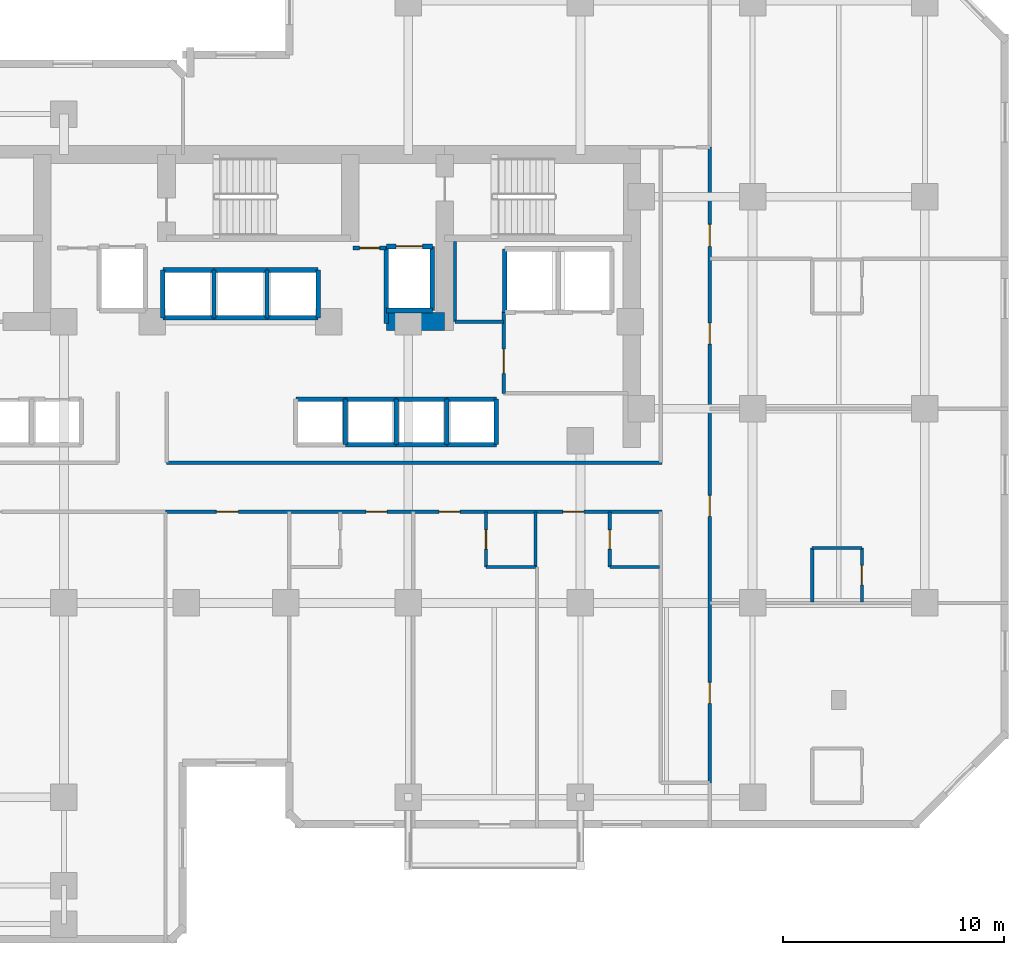
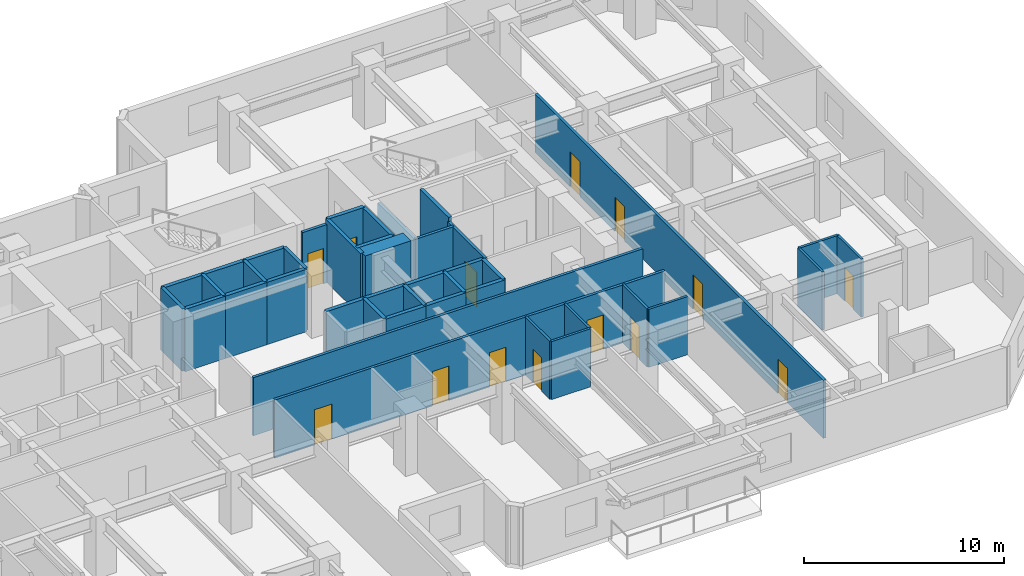
# One storey, part 8 of 12: 42 walls, 14 doors, 14 openings.
"""IFC4 building model written with IfcOpenShell, lengths in metres."""

from ifc_helpers import new_model, si_unit, direction, frame, frame_2d, origin, place, context, subcontext, project, spatial, rectangle, extrude, material, layer, layer_set, type_object, element, fill, save


model = new_model("IFC4")

# Units and contexts
model_context = context("Model", 3, precision=1e-05, world=origin(), true_north=direction((0.0, 1.0)))
body_context = subcontext(model_context, "Body", "Model", "MODEL_VIEW")
ifc_project = project(units=[si_unit("LENGTHUNIT", "METRE"), si_unit("AREAUNIT", "SQUARE_METRE"), si_unit("VOLUMEUNIT", "CUBIC_METRE"), si_unit("PLANEANGLEUNIT", "RADIAN"), si_unit("MASSUNIT", "GRAM", prefix="KILO")], contexts=[model_context])

# Site, building, storey
site_placement = place(None, origin())
site = spatial("IfcSite", under=ifc_project, at=site_placement, CompositionType="ELEMENT")
building_placement = place(site_placement, origin())
building = spatial("IfcBuilding", under=site, at=building_placement, Name="Kestravale Grand Hotel", CompositionType="ELEMENT")
storey_placement = place(building_placement, frame((0.0, 0.0, 110.800048828125)))
storey = spatial("IfcBuildingStorey", under=building, at=storey_placement, Name="L27", CompositionType="ELEMENT", Elevation=110.800048828125)

# Wall
ifc_material_1 = material(Name="Concrete f'c 60 MPa", Category="concrete")
ifc_layer_1 = layer(ifc_material_1, 0.800048828125)
ifc_layer_set_1 = layer_set([ifc_layer_1], Name="EW-CORE-800")
wall_type_1 = type_object("IfcWallType", Name="EW-CORE-800", PredefinedType="SHEAR", material=ifc_layer_set_1)
wall_1_placement = place(storey_placement, frame((45.81005859375, 32.75, 0.0), z_axis=(0.0, 0.0, 1.0), x_axis=(1.0, 0.0, 0.0)))
element("IfcWall", 1, at=wall_1_placement, inside=storey, type_object=wall_type_1, Name="L27 core shear wall S2", PredefinedType="SHEAR", context=body_context, shape_type="SweptSolid", body=[
    extrude(rectangle(XDim=2.639892578125, YDim=0.800048828125, at=frame_2d((1.31982421875, 0.0))), origin(), (0.0, 0.0, 1.0), 3.800048828125),
])

# Wall, opening, door
ifc_material_2 = material(Name="Acoustic fire-rated gypsum board partition", Category="other")
ifc_layer_2 = layer(ifc_material_2, 0.159912109375)
ifc_layer_set_2 = layer_set([ifc_layer_2], Name="IW-CORR-160")
wall_type_2 = type_object("IfcWallType", Name="IW-CORR-160", PredefinedType="PARTITIONING", material=ifc_layer_set_2)
wall_2_placement = place(storey_placement, frame((51.1201171875, 29.5, 0.0), z_axis=(0.0, 0.0, 1.0), x_axis=(0.0, 1.0, 0.0)))
wall_2 = element("IfcWall", 2, at=wall_2_placement, inside=storey, type_object=wall_type_2, Name="W-L27-SVCLOB-W", PredefinedType="PARTITIONING", context=body_context, shape_type="SweptSolid", body=[
    extrude(rectangle(XDim=3.699951171875, YDim=0.159912109375, at=frame_2d((1.85009765625, 0.0))), origin(), (0.0, 0.0, 1.0), 3.5400390625),
])
opening_1_placement = place(wall_2_placement, frame((0.89990234375, 0.0, 0.0)))
opening_1 = element("IfcOpeningElement", 3, at=opening_1_placement, cuts=wall_2, Name="Opening D-CORR-1100", PredefinedType="OPENING", context=body_context, shape_type="SweptSolid", body=[
    extrude(rectangle(XDim=1.10009765625, YDim=2.14990234375, at=frame_2d((0.550048828125, 1.074951171875))), frame((0.0, 0.08984375, 0.0), z_axis=(0.0, -1.0, 0.0), x_axis=(1.0, 0.0, 0.0)), (0.0, 0.0, 1.0), 0.179931640625),
])
ifc_material_3 = material(Name="Single-leaf service vestibule fire door", Category="steel")
door_type_1 = type_object("IfcDoorType", Name="D-CORR-1100", OperationType="NOTDEFINED", PredefinedType="DOOR", material=ifc_material_3)
door_1_placement = place(opening_1_placement, origin())
door_1 = element("IfcDoor", 4, at=door_1_placement, inside=storey, type_object=door_type_1, Name="L27 service lift lobby door", OperationType="SINGLE_SWING_LEFT", OverallHeight=2.14990234375, OverallWidth=1.10009765625, PredefinedType="DOOR", context=body_context, shape_type="SweptSolid", body=[
    extrude(rectangle(XDim=1.10009765625, YDim=2.14990234375, at=frame_2d((0.550048828125, 1.074951171875))), frame((0.0, 0.02490234375, 0.0), z_axis=(0.0, -1.0, 0.0), x_axis=(1.0, 0.0, 0.0)), (0.0, 0.0, 1.0), 0.050048828125),
])
fill(opening_1, door_1)

# Walls
wall_3_placement = place(storey_placement, frame((48.919921875, 32.75, 0.0), z_axis=(0.0, 0.0, 1.0), x_axis=(1.0, 0.0, 0.0)))
element("IfcWall", 5, at=wall_3_placement, inside=storey, type_object=wall_type_2, Name="W-L27-CES", PredefinedType="PARTITIONING", context=body_context, shape_type="SweptSolid", body=[
    extrude(rectangle(XDim=2.2001953125, YDim=0.159912109375, at=frame_2d((1.10009765625, 0.0))), origin(), (0.0, 0.0, 1.0), 3.5400390625),
])
wall_4_placement = place(storey_placement, frame((35.85009765625, 26.360107421875, 0.0), z_axis=(0.0, 0.0, 1.0), x_axis=(1.0, 0.0, 0.0)))
element("IfcWall", 6, at=wall_4_placement, inside=storey, type_object=wall_type_2, Name="W-L27-CE-N", PredefinedType="PARTITIONING", context=body_context, shape_type="SweptSolid", body=[
    extrude(rectangle(XDim=22.449951171875, YDim=0.159912109375, at=frame_2d((11.22509765625, 0.0))), origin(), (0.0, 0.0, 1.0), 3.5400390625),
])

# Wall, openings, doors
wall_5_placement = place(storey_placement, frame((35.800048828125, 24.139892578125, 0.0), z_axis=(0.0, 0.0, 1.0), x_axis=(1.0, 0.0, 0.0)))
wall_5 = element("IfcWall", 7, at=wall_5_placement, inside=storey, type_object=wall_type_2, Name="W-L27-CE-S", PredefinedType="PARTITIONING", context=body_context, shape_type="SweptSolid", body=[
    extrude(rectangle(XDim=22.5, YDim=0.159912109375, at=frame_2d((11.25, 0.0))), origin(), (0.0, 0.0, 1.0), 3.5400390625),
])
opening_2_placement = place(wall_5_placement, frame((2.304931640625, 0.0, 0.0)))
opening_2 = element("IfcOpeningElement", 8, at=opening_2_placement, cuts=wall_5, Name="Opening D-GUEST-1000", PredefinedType="OPENING", context=body_context, shape_type="SweptSolid", body=[
    extrude(rectangle(XDim=1.0, YDim=2.14990234375, at=frame_2d((0.5, 1.074951171875))), frame((0.0, 0.08984375, 0.0), z_axis=(0.0, -1.0, 0.0), x_axis=(1.0, 0.0, 0.0)), (0.0, 0.0, 1.0), 0.179931640625),
])
opening_3_placement = place(wall_5_placement, frame((9.094970703125, 0.0, 0.0)))
opening_3 = element("IfcOpeningElement", 9, at=opening_3_placement, cuts=wall_5, Name="Opening D-GUEST-950", PredefinedType="OPENING", context=body_context, shape_type="SweptSolid", body=[
    extrude(rectangle(XDim=0.949951171875, YDim=2.10009765625, at=frame_2d((0.47509765625, 1.050048828125))), frame((0.0, 0.08984375, 0.0), z_axis=(0.0, -1.0, 0.0), x_axis=(1.0, 0.0, 0.0)), (0.0, 0.0, 1.0), 0.179931640625),
])
opening_4_placement = place(wall_5_placement, frame((12.39501953125, 0.0, 0.0)))
opening_4 = element("IfcOpeningElement", 10, at=opening_4_placement, cuts=wall_5, Name="Opening D-GUEST-950", PredefinedType="OPENING", context=body_context, shape_type="SweptSolid", body=[
    extrude(rectangle(XDim=0.949951171875, YDim=2.10009765625, at=frame_2d((0.47509765625, 1.050048828125))), frame((0.0, 0.08984375, 0.0), z_axis=(0.0, -1.0, 0.0), x_axis=(1.0, 0.0, 0.0)), (0.0, 0.0, 1.0), 0.179931640625),
])
opening_5_placement = place(wall_5_placement, frame((18.0048828125, 0.0, 0.0)))
opening_5 = element("IfcOpeningElement", 11, at=opening_5_placement, cuts=wall_5, Name="Opening D-GUEST-950", PredefinedType="OPENING", context=body_context, shape_type="SweptSolid", body=[
    extrude(rectangle(XDim=0.949951171875, YDim=2.10009765625, at=frame_2d((0.47509765625, 1.050048828125))), frame((0.0, 0.08984375, 0.0), z_axis=(0.0, -1.0, 0.0), x_axis=(1.0, 0.0, 0.0)), (0.0, 0.0, 1.0), 0.179931640625),
])
ifc_material_4 = material(Name="Accessible walnut veneer hotel entrance fire door", Category="wood")
door_type_2 = type_object("IfcDoorType", Name="D-GUEST-1000", OperationType="NOTDEFINED", PredefinedType="DOOR", material=ifc_material_4)
door_2_placement = place(opening_2_placement, origin())
door_2 = element("IfcDoor", 12, at=door_2_placement, inside=storey, type_object=door_type_2, Name="D-L27-AME", OperationType="SINGLE_SWING_LEFT", OverallHeight=2.14990234375, OverallWidth=1.0, PredefinedType="DOOR", context=body_context, shape_type="SweptSolid", body=[
    extrude(rectangle(XDim=1.0, YDim=2.14990234375, at=frame_2d((0.5, 1.074951171875))), frame((0.0, 0.02490234375, 0.0), z_axis=(0.0, -1.0, 0.0), x_axis=(1.0, 0.0, 0.0)), (0.0, 0.0, 1.0), 0.050048828125),
])
fill(opening_2, door_2)
ifc_material_5 = material(Name="Walnut veneer hotel guestroom entrance fire door", Category="wood")
door_type_3 = type_object("IfcDoorType", Name="D-GUEST-950", OperationType="NOTDEFINED", PredefinedType="DOOR", material=ifc_material_5)
door_3_placement = place(opening_3_placement, origin())
door_3 = element("IfcDoor", 13, at=door_3_placement, inside=storey, type_object=door_type_3, Name="D-L27-U01-ENT", OperationType="SINGLE_SWING_LEFT", OverallHeight=2.10009765625, OverallWidth=0.949951171875, PredefinedType="DOOR", context=body_context, shape_type="SweptSolid", body=[
    extrude(rectangle(XDim=0.949951171875, YDim=2.10009765625, at=frame_2d((0.47509765625, 1.050048828125))), frame((0.0, 0.02490234375, 0.0), z_axis=(0.0, -1.0, 0.0), x_axis=(1.0, 0.0, 0.0)), (0.0, 0.0, 1.0), 0.050048828125),
])
fill(opening_3, door_3)
door_4_placement = place(opening_4_placement, origin())
door_4 = element("IfcDoor", 14, at=door_4_placement, inside=storey, type_object=door_type_3, Name="D-L27-U02-ENT", OperationType="SINGLE_SWING_LEFT", OverallHeight=2.10009765625, OverallWidth=0.949951171875, PredefinedType="DOOR", context=body_context, shape_type="SweptSolid", body=[
    extrude(rectangle(XDim=0.949951171875, YDim=2.10009765625, at=frame_2d((0.47509765625, 1.050048828125))), frame((0.0, 0.02490234375, 0.0), z_axis=(0.0, -1.0, 0.0), x_axis=(1.0, 0.0, 0.0)), (0.0, 0.0, 1.0), 0.050048828125),
])
fill(opening_4, door_4)
door_5_placement = place(opening_5_placement, origin())
door_5 = element("IfcDoor", 15, at=door_5_placement, inside=storey, type_object=door_type_3, Name="D-L27-U03-ENT", OperationType="SINGLE_SWING_LEFT", OverallHeight=2.10009765625, OverallWidth=0.949951171875, PredefinedType="DOOR", context=body_context, shape_type="SweptSolid", body=[
    extrude(rectangle(XDim=0.949951171875, YDim=2.10009765625, at=frame_2d((0.47509765625, 1.050048828125))), frame((0.0, 0.02490234375, 0.0), z_axis=(0.0, -1.0, 0.0), x_axis=(1.0, 0.0, 0.0)), (0.0, 0.0, 1.0), 0.050048828125),
])
fill(opening_5, door_5)

wall_6_placement = place(storey_placement, frame((60.4599609375, 11.85009765625, 0.0), z_axis=(0.0, 0.0, 1.0), x_axis=(0.0, 1.0, 0.0)))
wall_6 = element("IfcWall", 16, at=wall_6_placement, inside=storey, type_object=wall_type_2, Name="W-L27-SE-E", PredefinedType="PARTITIONING", context=body_context, shape_type="SweptSolid", body=[
    extrude(rectangle(XDim=28.7998046875, YDim=0.159912109375, at=frame_2d((14.39990234375, 0.0))), origin(), (0.0, 0.0, 1.0), 3.5400390625),
])
opening_6_placement = place(wall_6_placement, frame((3.60009765625, 0.0, 0.0)))
opening_6 = element("IfcOpeningElement", 17, at=opening_6_placement, cuts=wall_6, Name="Opening D-GUEST-950", PredefinedType="OPENING", context=body_context, shape_type="SweptSolid", body=[
    extrude(rectangle(XDim=0.949951171875, YDim=2.10009765625, at=frame_2d((0.47509765625, 1.050048828125))), frame((0.0, 0.08984375, 0.0), z_axis=(0.0, -1.0, 0.0), x_axis=(1.0, 0.0, 0.0)), (0.0, 0.0, 1.0), 0.179931640625),
])
opening_7_placement = place(wall_6_placement, frame((12.074951171875, 0.0, 0.0)))
opening_7 = element("IfcOpeningElement", 18, at=opening_7_placement, cuts=wall_6, Name="Opening D-GUEST-950", PredefinedType="OPENING", context=body_context, shape_type="SweptSolid", body=[
    extrude(rectangle(XDim=0.949951171875, YDim=2.10009765625, at=frame_2d((0.47509765625, 1.050048828125))), frame((0.0, 0.08984375, 0.0), z_axis=(0.0, -1.0, 0.0), x_axis=(1.0, 0.0, 0.0)), (0.0, 0.0, 1.0), 0.179931640625),
])
opening_8_placement = place(wall_6_placement, frame((19.875, 0.0, 0.0)))
opening_8 = element("IfcOpeningElement", 19, at=opening_8_placement, cuts=wall_6, Name="Opening D-GUEST-950", PredefinedType="OPENING", context=body_context, shape_type="SweptSolid", body=[
    extrude(rectangle(XDim=0.949951171875, YDim=2.10009765625, at=frame_2d((0.47509765625, 1.050048828125))), frame((0.0, 0.08984375, 0.0), z_axis=(0.0, -1.0, 0.0), x_axis=(1.0, 0.0, 0.0)), (0.0, 0.0, 1.0), 0.179931640625),
])
opening_9_placement = place(wall_6_placement, frame((24.300048828125, 0.0, 0.0)))
opening_9 = element("IfcOpeningElement", 20, at=opening_9_placement, cuts=wall_6, Name="Opening D-GUEST-1000", PredefinedType="OPENING", context=body_context, shape_type="SweptSolid", body=[
    extrude(rectangle(XDim=1.0, YDim=2.14990234375, at=frame_2d((0.5, 1.074951171875))), frame((0.0, 0.08984375, 0.0), z_axis=(0.0, -1.0, 0.0), x_axis=(1.0, 0.0, 0.0)), (0.0, 0.0, 1.0), 0.179931640625),
])
door_6_placement = place(opening_9_placement, origin())
door_6 = element("IfcDoor", 21, at=door_6_placement, inside=storey, type_object=door_type_2, Name="D-L27-AMEW", OperationType="SINGLE_SWING_LEFT", OverallHeight=2.14990234375, OverallWidth=1.0, PredefinedType="DOOR", context=body_context, shape_type="SweptSolid", body=[
    extrude(rectangle(XDim=1.0, YDim=2.14990234375, at=frame_2d((0.5, 1.074951171875))), frame((0.0, 0.02490234375, 0.0), z_axis=(0.0, -1.0, 0.0), x_axis=(1.0, 0.0, 0.0)), (0.0, 0.0, 1.0), 0.050048828125),
])
fill(opening_9, door_6)
door_7_placement = place(opening_6_placement, origin())
door_7 = element("IfcDoor", 22, at=door_7_placement, inside=storey, type_object=door_type_3, Name="D-L27-U07-ENT", OperationType="SINGLE_SWING_RIGHT", OverallHeight=2.10009765625, OverallWidth=0.949951171875, PredefinedType="DOOR", context=body_context, shape_type="SweptSolid", body=[
    extrude(rectangle(XDim=0.949951171875, YDim=2.10009765625, at=frame_2d((0.47509765625, 1.050048828125))), frame((0.0, 0.02490234375, 0.0), z_axis=(0.0, -1.0, 0.0), x_axis=(1.0, 0.0, 0.0)), (0.0, 0.0, 1.0), 0.050048828125),
])
fill(opening_6, door_7)
door_8_placement = place(opening_7_placement, origin())
door_8 = element("IfcDoor", 23, at=door_8_placement, inside=storey, type_object=door_type_3, Name="D-L27-U08-ENT", OperationType="SINGLE_SWING_RIGHT", OverallHeight=2.10009765625, OverallWidth=0.949951171875, PredefinedType="DOOR", context=body_context, shape_type="SweptSolid", body=[
    extrude(rectangle(XDim=0.949951171875, YDim=2.10009765625, at=frame_2d((0.47509765625, 1.050048828125))), frame((0.0, 0.02490234375, 0.0), z_axis=(0.0, -1.0, 0.0), x_axis=(1.0, 0.0, 0.0)), (0.0, 0.0, 1.0), 0.050048828125),
])
fill(opening_7, door_8)
door_9_placement = place(opening_8_placement, origin())
door_9 = element("IfcDoor", 24, at=door_9_placement, inside=storey, type_object=door_type_3, Name="D-L27-U09-ENT", OperationType="SINGLE_SWING_RIGHT", OverallHeight=2.10009765625, OverallWidth=0.949951171875, PredefinedType="DOOR", context=body_context, shape_type="SweptSolid", body=[
    extrude(rectangle(XDim=0.949951171875, YDim=2.10009765625, at=frame_2d((0.47509765625, 1.050048828125))), frame((0.0, 0.02490234375, 0.0), z_axis=(0.0, -1.0, 0.0), x_axis=(1.0, 0.0, 0.0)), (0.0, 0.0, 1.0), 0.050048828125),
])
fill(opening_8, door_9)

# Wall, opening, door
ifc_material_6 = material(Name="Fire-rated gypsum board on steel studs with mineral wool", Category="steel")
ifc_layer_3 = layer(ifc_material_6, 0.179931640625)
ifc_layer_set_3 = layer_set([ifc_layer_3], Name="IW-FSAE-180")
wall_type_3 = type_object("IfcWallType", Name="IW-FSAE-180", PredefinedType="PARTITIONING", material=ifc_layer_set_3)
wall_7_placement = place(storey_placement, frame((44.300048828125, 36.080078125, 0.0), z_axis=(0.0, 0.0, 1.0), x_axis=(1.0, 0.0, 0.0)))
wall_7 = element("IfcWall", 25, at=wall_7_placement, inside=storey, type_object=wall_type_3, Name="L27 FSAE Lobby 2 smoke barrier", PredefinedType="PARTITIONING", context=body_context, shape_type="SweptSolid", body=[
    extrude(rectangle(XDim=1.5, YDim=0.179931640625, at=frame_2d((0.75, 0.0))), origin(), (0.0, 0.0, 1.0), 3.5400390625),
])
opening_10_placement = place(wall_7_placement, frame((0.300048828125, 0.0, 0.0)))
opening_10 = element("IfcOpeningElement", 26, at=opening_10_placement, cuts=wall_7, Name="Opening D-FSAE-1000", PredefinedType="OPENING", context=body_context, shape_type="SweptSolid", body=[
    extrude(rectangle(XDim=0.89990234375, YDim=2.14990234375, at=frame_2d((0.449951171875, 1.074951171875))), frame((0.0, 0.099853515625, 0.0), z_axis=(0.0, -1.0, 0.0), x_axis=(1.0, 0.0, 0.0)), (0.0, 0.0, 1.0), 0.199951171875),
])
ifc_material_7 = material(Name="Smoke-gasketed FSAE lobby fire door", Category="steel")
door_type_4 = type_object("IfcDoorType", Name="D-FSAE-1000", OperationType="NOTDEFINED", PredefinedType="DOOR", material=ifc_material_7)
door_10_placement = place(opening_10_placement, origin())
door_10 = element("IfcDoor", 27, at=door_10_placement, inside=storey, type_object=door_type_4, Name="L27 FSAE Lobby 2 fire door", OperationType="SINGLE_SWING_LEFT", OverallHeight=2.14990234375, OverallWidth=0.89990234375, PredefinedType="DOOR", context=body_context, shape_type="SweptSolid", body=[
    extrude(rectangle(XDim=0.89990234375, YDim=2.14990234375, at=frame_2d((0.449951171875, 1.074951171875))), frame((0.0, 0.02490234375, 0.0), z_axis=(0.0, -1.0, 0.0), x_axis=(1.0, 0.0, 0.0)), (0.0, 0.0, 1.0), 0.050048828125),
])
fill(opening_10, door_10)

ifc_material_8 = material(Name="Moisture-resistant tile-backer plumbing chase wall", Category="other")
ifc_layer_4 = layer(ifc_material_8, 0.139892578125)
ifc_layer_set_4 = layer_set([ifc_layer_4], Name="IW-PLB-140")
wall_type_4 = type_object("IfcWallType", Name="IW-PLB-140", PredefinedType="PLUMBINGWALL", material=ifc_layer_set_4)
wall_8_placement = place(storey_placement, frame((50.320068359375, 21.6298828125, 0.0), z_axis=(0.0, 0.0, 1.0), x_axis=(0.0, 1.0, 0.0)))
wall_8 = element("IfcWall", 28, at=wall_8_placement, inside=storey, type_object=wall_type_4, Name="W-L27-U02-BW", PredefinedType="PLUMBINGWALL", context=body_context, shape_type="SweptSolid", body=[
    extrude(rectangle(XDim=2.490234375, YDim=0.139892578125, at=frame_2d((1.2451171875, 0.0))), origin(), (0.0, 0.0, 1.0), 3.5400390625),
])
opening_11_placement = place(wall_8_placement, frame((0.804931640625, 0.0, 0.0)))
opening_11 = element("IfcOpeningElement", 29, at=opening_11_placement, cuts=wall_8, Name="Opening D-BATH-880", PredefinedType="OPENING", context=body_context, shape_type="SweptSolid", body=[
    extrude(rectangle(XDim=0.8798828125, YDim=2.050048828125, at=frame_2d((0.43994140625, 1.02490234375))), frame((0.0, 0.079833984375, 0.0), z_axis=(0.0, -1.0, 0.0), x_axis=(1.0, 0.0, 0.0)), (0.0, 0.0, 1.0), 0.159912109375),
])
ifc_material_9 = material(Name="Moisture-sealed walnut en-suite bathroom door", Category="wood")
door_type_5 = type_object("IfcDoorType", Name="D-BATH-880", OperationType="NOTDEFINED", PredefinedType="DOOR", material=ifc_material_9)
door_11_placement = place(opening_11_placement, origin())
door_11 = element("IfcDoor", 30, at=door_11_placement, inside=storey, type_object=door_type_5, Name="D-L27-U02-BATH", OperationType="SINGLE_SWING_RIGHT", OverallHeight=2.050048828125, OverallWidth=0.8798828125, PredefinedType="DOOR", context=body_context, shape_type="SweptSolid", body=[
    extrude(rectangle(XDim=0.8798828125, YDim=2.050048828125, at=frame_2d((0.43994140625, 1.02490234375))), frame((0.0, 0.02490234375, 0.0), z_axis=(0.0, -1.0, 0.0), x_axis=(1.0, 0.0, 0.0)), (0.0, 0.0, 1.0), 0.050048828125),
])
fill(opening_11, door_11)

# Walls
wall_9_placement = place(storey_placement, frame((52.570068359375, 21.6298828125, 0.0), z_axis=(0.0, 0.0, 1.0), x_axis=(0.0, 1.0, 0.0)))
element("IfcWall", 31, at=wall_9_placement, inside=storey, type_object=wall_type_4, Name="W-L27-U02-BE", PredefinedType="PLUMBINGWALL", context=body_context, shape_type="SweptSolid", body=[
    extrude(rectangle(XDim=2.490234375, YDim=0.139892578125, at=frame_2d((1.2451171875, 0.0))), origin(), (0.0, 0.0, 1.0), 3.5400390625),
])
wall_10_placement = place(storey_placement, frame((50.320068359375, 21.6298828125, 0.0), z_axis=(0.0, 0.0, 1.0), x_axis=(1.0, 0.0, 0.0)))
element("IfcWall", 32, at=wall_10_placement, inside=storey, type_object=wall_type_4, Name="W-L27-U02-BS", PredefinedType="PLUMBINGWALL", context=body_context, shape_type="SweptSolid", body=[
    extrude(rectangle(XDim=2.25, YDim=0.139892578125, at=frame_2d((1.125, 0.0))), origin(), (0.0, 0.0, 1.0), 3.5400390625),
])

# Wall, opening, door
wall_11_placement = place(storey_placement, frame((55.929931640625, 21.6298828125, 0.0), z_axis=(0.0, 0.0, 1.0), x_axis=(0.0, 1.0, 0.0)))
wall_11 = element("IfcWall", 33, at=wall_11_placement, inside=storey, type_object=wall_type_4, Name="W-L27-U03-BW", PredefinedType="PLUMBINGWALL", context=body_context, shape_type="SweptSolid", body=[
    extrude(rectangle(XDim=2.490234375, YDim=0.139892578125, at=frame_2d((1.2451171875, 0.0))), origin(), (0.0, 0.0, 1.0), 3.5400390625),
])
opening_12_placement = place(wall_11_placement, frame((0.804931640625, 0.0, 0.0)))
opening_12 = element("IfcOpeningElement", 34, at=opening_12_placement, cuts=wall_11, Name="Opening D-BATH-880", PredefinedType="OPENING", context=body_context, shape_type="SweptSolid", body=[
    extrude(rectangle(XDim=0.8798828125, YDim=2.050048828125, at=frame_2d((0.43994140625, 1.02490234375))), frame((0.0, 0.079833984375, 0.0), z_axis=(0.0, -1.0, 0.0), x_axis=(1.0, 0.0, 0.0)), (0.0, 0.0, 1.0), 0.159912109375),
])
door_12_placement = place(opening_12_placement, origin())
door_12 = element("IfcDoor", 35, at=door_12_placement, inside=storey, type_object=door_type_5, Name="D-L27-U03-BATH", OperationType="SINGLE_SWING_RIGHT", OverallHeight=2.050048828125, OverallWidth=0.8798828125, PredefinedType="DOOR", context=body_context, shape_type="SweptSolid", body=[
    extrude(rectangle(XDim=0.8798828125, YDim=2.050048828125, at=frame_2d((0.43994140625, 1.02490234375))), frame((0.0, 0.02490234375, 0.0), z_axis=(0.0, -1.0, 0.0), x_axis=(1.0, 0.0, 0.0)), (0.0, 0.0, 1.0), 0.050048828125),
])
fill(opening_12, door_12)

# Walls
wall_12_placement = place(storey_placement, frame((55.929931640625, 21.6298828125, 0.0), z_axis=(0.0, 0.0, 1.0), x_axis=(1.0, 0.0, 0.0)))
element("IfcWall", 36, at=wall_12_placement, inside=storey, type_object=wall_type_4, Name="W-L27-U03-BS", PredefinedType="PLUMBINGWALL", context=body_context, shape_type="SweptSolid", body=[
    extrude(rectangle(XDim=2.25, YDim=0.139892578125, at=frame_2d((1.125, 0.0))), origin(), (0.0, 0.0, 1.0), 3.5400390625),
])
wall_13_placement = place(storey_placement, frame((65.10009765625, 20.0400390625, 0.0), z_axis=(0.0, 0.0, 1.0), x_axis=(0.0, 1.0, 0.0)))
element("IfcWall", 37, at=wall_13_placement, inside=storey, type_object=wall_type_4, Name="W-L27-U08-BW", PredefinedType="PLUMBINGWALL", context=body_context, shape_type="SweptSolid", body=[
    extrude(rectangle(XDim=2.449951171875, YDim=0.139892578125, at=frame_2d((1.22509765625, 0.0))), origin(), (0.0, 0.0, 1.0), 3.5400390625),
])

# Wall, opening, door
wall_14_placement = place(storey_placement, frame((67.35009765625, 20.0400390625, 0.0), z_axis=(0.0, 0.0, 1.0), x_axis=(0.0, 1.0, 0.0)))
wall_14 = element("IfcWall", 38, at=wall_14_placement, inside=storey, type_object=wall_type_4, Name="W-L27-U08-BE", PredefinedType="PLUMBINGWALL", context=body_context, shape_type="SweptSolid", body=[
    extrude(rectangle(XDim=2.449951171875, YDim=0.139892578125, at=frame_2d((1.22509765625, 0.0))), origin(), (0.0, 0.0, 1.0), 3.5400390625),
])
opening_13_placement = place(wall_14_placement, frame((0.784912109375, 0.0, 0.0)))
opening_13 = element("IfcOpeningElement", 39, at=opening_13_placement, cuts=wall_14, Name="Opening D-BATH-880", PredefinedType="OPENING", context=body_context, shape_type="SweptSolid", body=[
    extrude(rectangle(XDim=0.8798828125, YDim=2.050048828125, at=frame_2d((0.43994140625, 1.02490234375))), frame((0.0, 0.079833984375, 0.0), z_axis=(0.0, -1.0, 0.0), x_axis=(1.0, 0.0, 0.0)), (0.0, 0.0, 1.0), 0.159912109375),
])
door_13_placement = place(opening_13_placement, origin())
door_13 = element("IfcDoor", 40, at=door_13_placement, inside=storey, type_object=door_type_5, Name="D-L27-U08-BATH", OperationType="SINGLE_SWING_LEFT", OverallHeight=2.050048828125, OverallWidth=0.8798828125, PredefinedType="DOOR", context=body_context, shape_type="SweptSolid", body=[
    extrude(rectangle(XDim=0.8798828125, YDim=2.050048828125, at=frame_2d((0.43994140625, 1.02490234375))), frame((0.0, 0.02490234375, 0.0), z_axis=(0.0, -1.0, 0.0), x_axis=(1.0, 0.0, 0.0)), (0.0, 0.0, 1.0), 0.050048828125),
])
fill(opening_13, door_13)

# Walls
wall_15_placement = place(storey_placement, frame((65.10009765625, 22.489990234375, 0.0), z_axis=(0.0, 0.0, 1.0), x_axis=(1.0, 0.0, 0.0)))
element("IfcWall", 41, at=wall_15_placement, inside=storey, type_object=wall_type_4, Name="W-L27-U08-BN", PredefinedType="PLUMBINGWALL", context=body_context, shape_type="SweptSolid", body=[
    extrude(rectangle(XDim=2.25, YDim=0.139892578125, at=frame_2d((1.125, 0.0))), origin(), (0.0, 0.0, 1.0), 3.5400390625),
])
ifc_material_10 = material(Name="Concrete f'c 45 MPa", Category="concrete")
ifc_layer_5 = layer(ifc_material_10, 0.199951171875)
ifc_layer_set_5 = layer_set([ifc_layer_5], Name="IW-SHAFT-200")
wall_type_5 = type_object("IfcWallType", Name="IW-SHAFT-200", PredefinedType="SHEAR", material=ifc_layer_set_5)
for number, where, z_axis, x_axis, name in (
    (42, (43.949951171875, 27.169921875, 0.0), (0.0, 0.0, 1.0), (0.0, 1.0, 0.0), "L27 PL-M2 west shaft wall"),
    (43, (46.25, 27.169921875, 0.0), (0.0, 0.0, 1.0), (0.0, 1.0, 0.0), "L27 PL-M3 west shaft wall"),
    (44, (48.550048828125, 27.169921875, 0.0), (0.0, 0.0, 1.0), (0.0, 1.0, 0.0), "L27 PL-M4 west shaft wall"),
    (45, (50.794921875, 27.169921875, 0.0), (0.0, 0.0, 1.0), (0.0, 1.0, 0.0), "L27 PL-M4 east shaft wall"),
):
    element("IfcWall", number, at=place(storey_placement, frame(where, z_axis=z_axis, x_axis=x_axis)), inside=storey, type_object=wall_type_5, Name=name, PredefinedType="SHEAR", context=body_context, shape_type="SweptSolid", body=[
        extrude(rectangle(XDim=2.06005859375, YDim=0.199951171875, at=frame_2d((1.030029296875, 0.0))), origin(), (0.0, 0.0, 1.0), 3.800048828125),
    ])
for number, where, z_axis, x_axis, name in (
    (46, (35.679931640625, 32.919921875, 0.0), (0.0, 0.0, 1.0), (0.0, 1.0, 0.0), "L27 PL-X1 west shaft wall"),
    (47, (38.0, 32.919921875, 0.0), (0.0, 0.0, 1.0), (0.0, 1.0, 0.0), "L27 PL-X2 west shaft wall"),
    (48, (40.39990234375, 32.919921875, 0.0), (0.0, 0.0, 1.0), (0.0, 1.0, 0.0), "L27 PL-X3 west shaft wall"),
    (49, (42.719970703125, 32.919921875, 0.0), (0.0, 0.0, 1.0), (0.0, 1.0, 0.0), "L27 PL-X3 east shaft wall"),
):
    element("IfcWall", number, at=place(storey_placement, frame(where, z_axis=z_axis, x_axis=x_axis)), inside=storey, type_object=wall_type_5, Name=name, PredefinedType="SHEAR", context=body_context, shape_type="SweptSolid", body=[
        extrude(rectangle(XDim=2.16015625, YDim=0.199951171875, at=frame_2d((1.080078125, 0.0))), origin(), (0.0, 0.0, 1.0), 3.800048828125),
    ])
wall_16_placement = place(storey_placement, frame((51.179931640625, 33.169921875, 0.0), z_axis=(0.0, 0.0, 1.0), x_axis=(0.0, 1.0, 0.0)))
element("IfcWall", 50, at=wall_16_placement, inside=storey, type_object=wall_type_5, Name="L27 SL-1 west shaft wall", PredefinedType="SHEAR", context=body_context, shape_type="SweptSolid", body=[
    extrude(rectangle(XDim=2.860107421875, YDim=0.199951171875, at=frame_2d((1.43017578125, 0.0))), origin(), (0.0, 0.0, 1.0), 3.800048828125),
])
wall_17_placement = place(storey_placement, frame((45.804931640625, 32.64990234375, 0.0), z_axis=(0.0, 0.0, 1.0), x_axis=(0.0, 1.0, 0.0)))
element("IfcWall", 51, at=wall_17_placement, inside=storey, type_object=wall_type_5, Name="L27 FL-2 west shaft wall", PredefinedType="SHEAR", context=body_context, shape_type="SweptSolid", body=[
    extrude(rectangle(XDim=3.505126953125, YDim=0.199951171875, at=frame_2d((1.75244140625, 0.0))), origin(), (0.0, 0.0, 1.0), 3.800048828125),
])
wall_18_placement = place(storey_placement, frame((47.89501953125, 33.2451171875, 0.0), z_axis=(0.0, 0.0, 1.0), x_axis=(0.0, 1.0, 0.0)))
element("IfcWall", 52, at=wall_18_placement, inside=storey, type_object=wall_type_5, Name="L27 FL-2 east shaft wall", PredefinedType="SHEAR", context=body_context, shape_type="SweptSolid", body=[
    extrude(rectangle(XDim=2.909912109375, YDim=0.199951171875, at=frame_2d((1.455078125, 0.0))), origin(), (0.0, 0.0, 1.0), 3.800048828125),
])
ifc_material_11 = material(Name="Concrete f'c 45 MPa", Category="concrete")
ifc_layer_6 = layer(ifc_material_11, 0.219970703125)
ifc_layer_set_6 = layer_set([ifc_layer_6], Name="IW-SHAFT-220")
wall_type_6 = type_object("IfcWallType", Name="IW-SHAFT-220", PredefinedType="SHEAR", material=ifc_layer_set_6)
wall_19_placement = place(storey_placement, frame((41.705078125, 29.22998046875, 0.0), z_axis=(0.0, 0.0, 1.0), x_axis=(1.0, 0.0, 0.0)))
element("IfcWall", 53, at=wall_19_placement, inside=storey, type_object=wall_type_6, Name="L27 PL-M1 north shaft wall", PredefinedType="SHEAR", context=body_context, shape_type="SweptSolid", body=[
    extrude(rectangle(XDim=2.244873046875, YDim=0.219970703125, at=frame_2d((1.12255859375, 0.0))), origin(), (0.0, 0.0, 1.0), 3.800048828125),
])
for number, where, z_axis, x_axis, name in (
    (54, (43.949951171875, 29.22998046875, 0.0), (0.0, 0.0, 1.0), (1.0, 0.0, 0.0), "L27 PL-M2 north shaft wall"),
    (55, (43.949951171875, 27.169921875, 0.0), (0.0, 0.0, 1.0), (1.0, 0.0, 0.0), "L27 PL-M2 south shaft wall"),
    (56, (46.25, 29.22998046875, 0.0), (0.0, 0.0, 1.0), (1.0, 0.0, 0.0), "L27 PL-M3 north shaft wall"),
    (57, (46.25, 27.169921875, 0.0), (0.0, 0.0, 1.0), (1.0, 0.0, 0.0), "L27 PL-M3 south shaft wall"),
):
    element("IfcWall", number, at=place(storey_placement, frame(where, z_axis=z_axis, x_axis=x_axis)), inside=storey, type_object=wall_type_6, Name=name, PredefinedType="SHEAR", context=body_context, shape_type="SweptSolid", body=[
        extrude(rectangle(XDim=2.300048828125, YDim=0.219970703125, at=frame_2d((1.14990234375, 0.0))), origin(), (0.0, 0.0, 1.0), 3.800048828125),
    ])
for number, where, z_axis, x_axis, name in (
    (58, (48.550048828125, 29.22998046875, 0.0), (0.0, 0.0, 1.0), (1.0, 0.0, 0.0), "L27 PL-M4 north shaft wall"),
    (59, (48.550048828125, 27.169921875, 0.0), (0.0, 0.0, 1.0), (1.0, 0.0, 0.0), "L27 PL-M4 south shaft wall"),
):
    element("IfcWall", number, at=place(storey_placement, frame(where, z_axis=z_axis, x_axis=x_axis)), inside=storey, type_object=wall_type_6, Name=name, PredefinedType="SHEAR", context=body_context, shape_type="SweptSolid", body=[
        extrude(rectangle(XDim=2.244873046875, YDim=0.219970703125, at=frame_2d((1.12255859375, 0.0))), origin(), (0.0, 0.0, 1.0), 3.800048828125),
    ])
for number, where, z_axis, x_axis, name in (
    (60, (35.679931640625, 35.080078125, 0.0), (0.0, 0.0, 1.0), (1.0, 0.0, 0.0), "L27 PL-X1 north shaft wall"),
    (61, (35.679931640625, 32.919921875, 0.0), (0.0, 0.0, 1.0), (1.0, 0.0, 0.0), "L27 PL-X1 south shaft wall"),
):
    element("IfcWall", number, at=place(storey_placement, frame(where, z_axis=z_axis, x_axis=x_axis)), inside=storey, type_object=wall_type_6, Name=name, PredefinedType="SHEAR", context=body_context, shape_type="SweptSolid", body=[
        extrude(rectangle(XDim=2.320068359375, YDim=0.219970703125, at=frame_2d((1.16015625, 0.0))), origin(), (0.0, 0.0, 1.0), 3.800048828125),
    ])
for number, where, z_axis, x_axis, name in (
    (62, (38.0, 35.080078125, 0.0), (0.0, 0.0, 1.0), (1.0, 0.0, 0.0), "L27 PL-X2 north shaft wall"),
    (63, (38.0, 32.919921875, 0.0), (0.0, 0.0, 1.0), (1.0, 0.0, 0.0), "L27 PL-X2 south shaft wall"),
):
    element("IfcWall", number, at=place(storey_placement, frame(where, z_axis=z_axis, x_axis=x_axis)), inside=storey, type_object=wall_type_6, Name=name, PredefinedType="SHEAR", context=body_context, shape_type="SweptSolid", body=[
        extrude(rectangle(XDim=2.39990234375, YDim=0.219970703125, at=frame_2d((1.199951171875, 0.0))), origin(), (0.0, 0.0, 1.0), 3.800048828125),
    ])
for number, where, z_axis, x_axis, name in (
    (64, (40.39990234375, 35.080078125, 0.0), (0.0, 0.0, 1.0), (1.0, 0.0, 0.0), "L27 PL-X3 north shaft wall"),
    (65, (40.39990234375, 32.919921875, 0.0), (0.0, 0.0, 1.0), (1.0, 0.0, 0.0), "L27 PL-X3 south shaft wall"),
):
    element("IfcWall", number, at=place(storey_placement, frame(where, z_axis=z_axis, x_axis=x_axis)), inside=storey, type_object=wall_type_6, Name=name, PredefinedType="SHEAR", context=body_context, shape_type="SweptSolid", body=[
        extrude(rectangle(XDim=2.320068359375, YDim=0.219970703125, at=frame_2d((1.16015625, 0.0))), origin(), (0.0, 0.0, 1.0), 3.800048828125),
    ])

# Wall, opening, door
wall_20_placement = place(storey_placement, frame((45.804931640625, 36.155029296875, 0.0), z_axis=(0.0, 0.0, 1.0), x_axis=(1.0, 0.0, 0.0)))
wall_20 = element("IfcWall", 66, at=wall_20_placement, inside=storey, type_object=wall_type_6, Name="L27 FL-2 north shaft wall", PredefinedType="SHEAR", context=body_context, shape_type="SweptSolid", body=[
    extrude(rectangle(XDim=2.090087890625, YDim=0.219970703125, at=frame_2d((1.044921875, 0.0))), origin(), (0.0, 0.0, 1.0), 3.800048828125),
])
opening_14_placement = place(wall_20_placement, frame((0.445068359375, 0.0, 0.0)))
opening_14 = element("IfcOpeningElement", 67, at=opening_14_placement, cuts=wall_20, Name="Opening LD-FSAE-1200", PredefinedType="OPENING", context=body_context, shape_type="SweptSolid", body=[
    extrude(rectangle(XDim=1.199951171875, YDim=2.14990234375, at=frame_2d((0.60009765625, 1.074951171875))), frame((0.0, 0.119873046875, 0.0), z_axis=(0.0, -1.0, 0.0), x_axis=(1.0, 0.0, 0.0)), (0.0, 0.0, 1.0), 0.239990234375),
])
ifc_material_12 = material(Name="Stainless fire-service sliding elevator landing door", Category="steel")
door_type_6 = type_object("IfcDoorType", Name="LD-FSAE-1200", OperationType="NOTDEFINED", PredefinedType="DOOR", material=ifc_material_12)
door_14_placement = place(opening_14_placement, origin())
door_14 = element("IfcDoor", 68, at=door_14_placement, inside=storey, type_object=door_type_6, Name="L27 FL-2 elevator landing sliding door", OperationType="DOUBLE_DOOR_SLIDING", OverallHeight=2.14990234375, OverallWidth=1.199951171875, PredefinedType="DOOR", context=body_context, shape_type="SweptSolid", body=[
    extrude(rectangle(XDim=1.199951171875, YDim=2.14990234375, at=frame_2d((0.60009765625, 1.074951171875))), frame((0.0, 0.02490234375, 0.0), z_axis=(0.0, -1.0, 0.0), x_axis=(1.0, 0.0, 0.0)), (0.0, 0.0, 1.0), 0.050048828125),
])
fill(opening_14, door_14)

# Walls
wall_21_placement = place(storey_placement, frame((45.804931640625, 33.2451171875, 0.0), z_axis=(0.0, 0.0, 1.0), x_axis=(1.0, 0.0, 0.0)))
element("IfcWall", 69, at=wall_21_placement, inside=storey, type_object=wall_type_6, Name="L27 FL-2 south shaft wall", PredefinedType="SHEAR", context=body_context, shape_type="SweptSolid", body=[
    extrude(rectangle(XDim=2.090087890625, YDim=0.219970703125, at=frame_2d((1.044921875, 0.0))), origin(), (0.0, 0.0, 1.0), 3.800048828125),
])
ifc_material_13 = material(Name="Double-stud STC 52 acoustic demising partition", Category="other")
ifc_layer_7 = layer(ifc_material_13, 0.14990234375)
ifc_layer_set_7 = layer_set([ifc_layer_7], Name="IW-UNIT-150")
wall_type_7 = type_object("IfcWallType", Name="IW-UNIT-150", PredefinedType="PARTITIONING", material=ifc_layer_set_7)
wall_22_placement = place(storey_placement, frame((48.919921875, 32.75, 0.0), z_axis=(0.0, 0.0, 1.0), x_axis=(0.0, 1.0, 0.0)))
element("IfcWall", 70, at=wall_22_placement, inside=storey, type_object=wall_type_7, Name="W-L27-CEW", PredefinedType="PARTITIONING", context=body_context, shape_type="SweptSolid", body=[
    extrude(rectangle(XDim=3.6201171875, YDim=0.14990234375, at=frame_2d((1.81005859375, 0.0))), origin(), (0.0, 0.0, 1.0), 3.5400390625),
])

save(model, "model.ifc")
